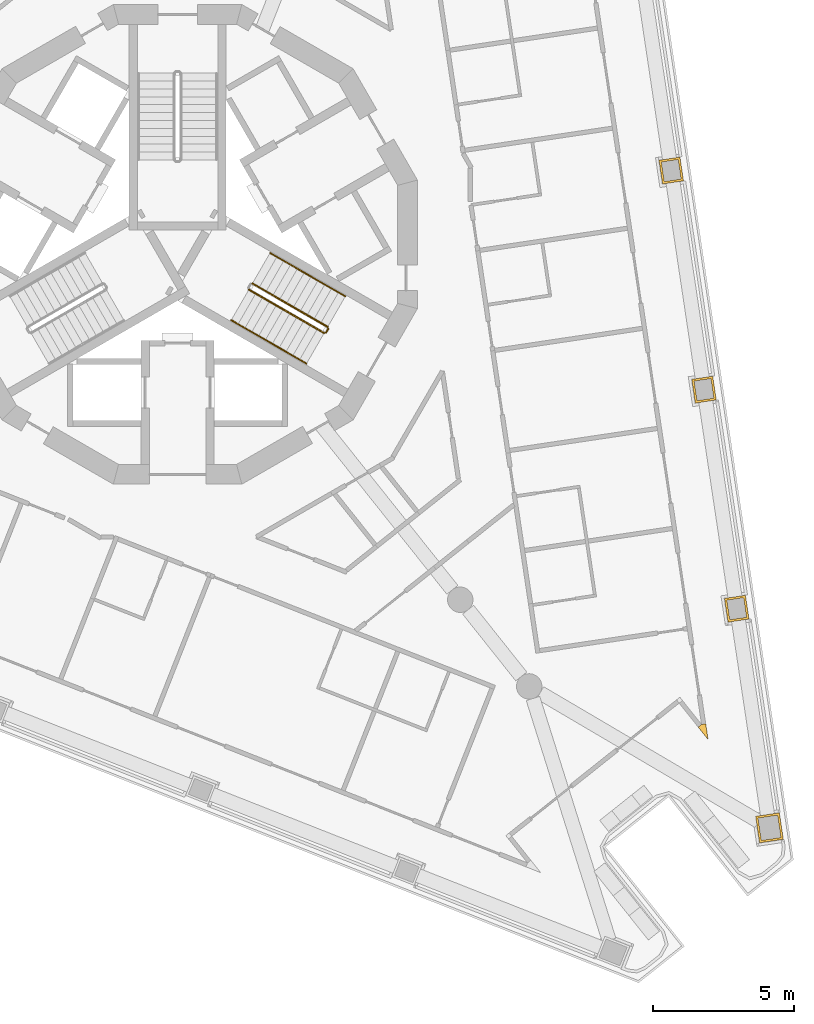
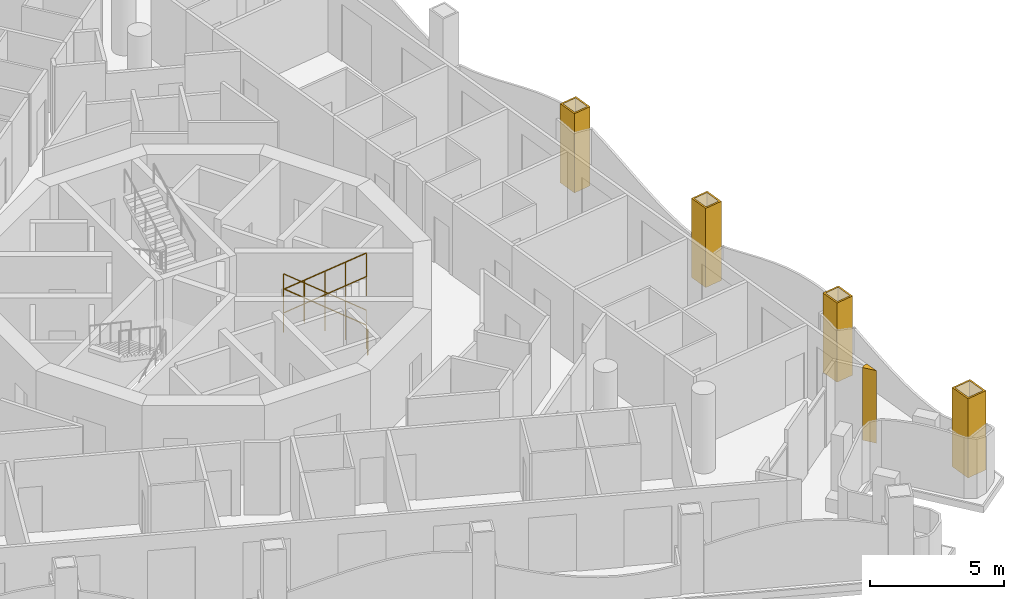
# One storey, part 15 of 17: 7 railings, 5 coverings.
"""IFC4 building model written with IfcOpenShell, lengths in metres."""

from ifc_helpers import new_model, si_unit, direction, frame, origin, origin_2d, place, context, subcontext, project, spatial, polyline, circle, outline, extrude, material, layer, layer_set, type_object, element, save


model = new_model("IFC4")

# Units and contexts
model_context = context("Model", 3, precision=1e-05, world=origin(), true_north=direction((0.0, 1.0)))
body_context = subcontext(model_context, "Body", "Model", "MODEL_VIEW")
ifc_project = project(units=[si_unit("LENGTHUNIT", "METRE"), si_unit("AREAUNIT", "SQUARE_METRE"), si_unit("VOLUMEUNIT", "CUBIC_METRE"), si_unit("PLANEANGLEUNIT", "RADIAN"), si_unit("MASSUNIT", "GRAM", prefix="KILO")], contexts=[model_context])

# Site, building, storey
site_placement = place(None, origin())
site = spatial("IfcSite", under=ifc_project, at=site_placement, CompositionType="ELEMENT")
building_placement = place(site_placement, origin())
building = spatial("IfcBuilding", under=site, at=building_placement, Name="Trine Commons Tower", CompositionType="ELEMENT")
storey_placement = place(building_placement, frame((0.0, 0.0, 216.0)))
storey = spatial("IfcBuildingStorey", under=building, at=storey_placement, Name="L56", CompositionType="ELEMENT", Elevation=216.0)

# Coverings
ifc_material_1 = material(Name="Aluminium-framed insulated wall panel", Category="aluminium")
ifc_layer_1 = layer(ifc_material_1, 0.14990234375)
ifc_layer_set_1 = layer_set([ifc_layer_1], Name="Aluminium-framed insulated wall panel")
covering_type_1 = type_object("IfcCoveringType", Name="Glazing corner post, aluminium", PredefinedType="CLADDING", material=ifc_layer_set_1)
covering_1_placement = place(storey_placement, origin())
element("IfcCovering", 1, at=covering_1_placement, inside=storey, type_object=covering_type_1, Name="Glazing corner post 6-06", PredefinedType="CLADDING", context=body_context, shape_type="SweptSolid", body=[
    extrude(outline(polyline([(98.4521484375, 45.390625), (98.800537109375, 44.95263671875), (98.718017578125, 45.506103515625), (98.569580078125, 45.484130859375), (98.4521484375, 45.390625)])), origin(), (0.0, 0.0, 1.0), 3.300048828125),
])
ifc_material_2 = material(Name="Limestone, honed", Category="masonry")
ifc_layer_2 = layer(ifc_material_2, 0.074951171875)
ifc_layer_set_2 = layer_set([ifc_layer_2], Name="Limestone, honed")
covering_type_2 = type_object("IfcCoveringType", Name="Limestone column cladding 75", PredefinedType="CLADDING", material=ifc_layer_set_2)
covering_2_placement = place(storey_placement, origin())
element("IfcCovering", 2, at=covering_2_placement, inside=storey, type_object=covering_type_2, Name="Limestone pier cladding 6-18", PredefinedType="CLADDING", context=body_context, shape_type="SweptSolid", body=[
    extrude(outline(polyline([(97.80419921875, 65.590576171875), (97.0625, 65.479736328125), (97.18798828125, 64.638916015625), (97.9296875, 64.75), (97.80419921875, 65.590576171875)]), holes=[polyline([(97.7412109375, 65.50537109375), (97.147705078125, 65.41650390625), (97.251220703125, 64.724365234375), (97.844482421875, 64.81298828125), (97.7412109375, 65.50537109375)])]), origin(), (0.0, 0.0, 1.0), 3.60009765625),
])
covering_3_placement = place(storey_placement, origin())
element("IfcCovering", 3, at=covering_3_placement, inside=storey, type_object=covering_type_2, Name="Limestone pier cladding 6-19", PredefinedType="CLADDING", context=body_context, shape_type="SweptSolid", body=[
    extrude(outline(polyline([(98.964599609375, 57.826171875), (98.222900390625, 57.71533203125), (98.348388671875, 56.87451171875), (99.090087890625, 56.985595703125), (98.964599609375, 57.826171875)]), holes=[polyline([(98.901611328125, 57.740966796875), (98.30810546875, 57.652099609375), (98.41162109375, 56.9599609375), (99.0048828125, 57.048583984375), (98.901611328125, 57.740966796875)])]), origin(), (0.0, 0.0, 1.0), 3.60009765625),
])
covering_4_placement = place(storey_placement, origin())
element("IfcCovering", 4, at=covering_4_placement, inside=storey, type_object=covering_type_2, Name="Limestone pier cladding 6-20", PredefinedType="CLADDING", context=body_context, shape_type="SweptSolid", body=[
    extrude(outline(polyline([(100.125, 50.06201171875), (99.38330078125, 49.950927734375), (99.5087890625, 49.1103515625), (100.25048828125, 49.22119140625), (100.125, 50.06201171875)]), holes=[polyline([(100.06201171875, 49.9765625), (99.468505859375, 49.887939453125), (99.572021484375, 49.195556640625), (100.165283203125, 49.2841796875), (100.06201171875, 49.9765625)])]), origin(), (0.0, 0.0, 1.0), 3.60009765625),
])
covering_5_placement = place(storey_placement, origin())
element("IfcCovering", 5, at=covering_5_placement, inside=storey, type_object=covering_type_2, Name="Limestone pier cladding 6-21", PredefinedType="CLADDING", context=body_context, shape_type="SweptSolid", body=[
    extrude(outline(polyline([(101.327392578125, 42.354248046875), (100.48681640625, 42.228759765625), (100.627197265625, 41.2890625), (101.4677734375, 41.414794921875), (101.327392578125, 42.354248046875)]), holes=[polyline([(101.264404296875, 42.26904296875), (100.572021484375, 42.16552734375), (100.690185546875, 41.37451171875), (101.382568359375, 41.477783203125), (101.264404296875, 42.26904296875)])]), origin(), (0.0, 0.0, 1.0), 3.60009765625),
])

# Railings
ifc_material_3 = material(Name="Stainless steel balustrade", Category="steel")
railing_type_1 = type_object("IfcRailingType", Name="Stair guard, steel balustrade 1100", PredefinedType="GUARDRAIL", material=ifc_material_3)
railing_1_placement = place(storey_placement, frame((85.31982421875, 59.572998046875, 0.14990234375)))
element("IfcRailing", 6, at=railing_1_placement, inside=storey, type_object=railing_type_1, Name="L56 ST3C stair guard 1", PredefinedType="GUARDRAIL", context=body_context, shape_type="SweptSolid", body=[
    extrude(circle(Radius=0.02392578125, at=origin_2d()), frame((0.0, 0.0, 1.076171875), z_axis=(-0.763379768245, 0.440728498818, 0.472239049384), x_axis=(-0.499992328818, -0.866029832698, 0.0)), (0.0, 0.0, 1.0), 3.494384765625),
    extrude(circle(Radius=0.02099609375, at=origin_2d()), origin(), (0.0, 0.0, 1.0), 1.052001953125),
    extrude(circle(Radius=0.02099609375, at=origin_2d()), frame((-0.6669921875, 0.385009765625, 0.41259765625)), (0.0, 0.0, 1.0), 1.052001953125),
    extrude(circle(Radius=0.02099609375, at=origin_2d()), frame((-1.333740234375, 0.77001953125, 0.8251953125)), (0.0, 0.0, 1.0), 1.052001953125),
    extrude(circle(Radius=0.02099609375, at=origin_2d()), frame((-2.00048828125, 1.155029296875, 1.237548828125)), (0.0, 0.0, 1.0), 1.052001953125),
    extrude(circle(Radius=0.02099609375, at=origin_2d()), frame((-2.66748046875, 1.5400390625, 1.650146484375)), (0.0, 0.0, 1.0), 1.052001953125),
])
railing_2_placement = place(storey_placement, frame((82.52734375, 60.896484375, 1.949951171875)))
element("IfcRailing", 7, at=railing_2_placement, inside=storey, type_object=railing_type_1, Name="L56 ST3C stair guard 3", PredefinedType="GUARDRAIL", context=body_context, shape_type="SweptSolid", body=[
    extrude(circle(Radius=0.02392578125, at=origin_2d()), frame((0.0, 0.0, 1.076171875), z_axis=(0.763379768245, -0.440728498818, 0.472239049384), x_axis=(0.499992328818, 0.866029832698, 0.0)), (0.0, 0.0, 1.0), 3.494384765625),
    extrude(circle(Radius=0.02099609375, at=origin_2d()), origin(), (0.0, 0.0, 1.0), 1.052001953125),
    extrude(circle(Radius=0.02099609375, at=origin_2d()), frame((0.6669921875, -0.385009765625, 0.41259765625)), (0.0, 0.0, 1.0), 1.052001953125),
    extrude(circle(Radius=0.02099609375, at=origin_2d()), frame((1.333740234375, -0.77001953125, 0.8251953125)), (0.0, 0.0, 1.0), 1.052001953125),
    extrude(circle(Radius=0.02099609375, at=origin_2d()), frame((2.00048828125, -1.155029296875, 1.237548828125)), (0.0, 0.0, 1.0), 1.052001953125),
    extrude(circle(Radius=0.02099609375, at=origin_2d()), frame((2.66748046875, -1.5400390625, 1.650146484375)), (0.0, 0.0, 1.0), 1.052001953125),
])
railing_3_placement = place(storey_placement, frame((85.338134765625, 59.504638671875, 0.0)))
element("IfcRailing", 8, at=railing_3_placement, inside=storey, type_object=railing_type_1, Name="L56 ST3C stair guard 4", PredefinedType="GUARDRAIL", context=body_context, shape_type="SweptSolid", body=[
    extrude(circle(Radius=0.02392578125, at=origin_2d()), frame((0.0, 0.0, 1.076171875), z_axis=(-0.499816412211, -0.866131372301, 0.0), x_axis=(0.866131372301, -0.499816412211, 0.0)), (0.0, 0.0, 1.0), 0.14990234375),
    extrude(circle(Radius=0.02099609375, at=origin_2d()), origin(), (0.0, 0.0, 1.0), 1.052001953125),
    extrude(circle(Radius=0.02099609375, at=origin_2d()), frame((-0.074951171875, -0.1298828125, 0.0)), (0.0, 0.0, 1.0), 1.052001953125),
])
ifc_material_4 = material(Name="Stainless steel handrail", Category="steel")
railing_type_2 = type_object("IfcRailingType", Name="Stair handrail, steel 900", PredefinedType="HANDRAIL", material=ifc_material_4)
railing_4_placement = place(storey_placement, frame((85.94482421875, 60.655517578125, 0.14990234375)))
element("IfcRailing", 9, at=railing_4_placement, inside=storey, type_object=railing_type_2, Name="L56 ST3C stair handrail 1", PredefinedType="HANDRAIL", context=body_context, shape_type="SweptSolid", body=[
    extrude(circle(Radius=0.02099609375, at=origin_2d()), frame((0.0, 0.0, 0.87890625), z_axis=(-0.763354580307, 0.440713956853, 0.472293333596), x_axis=(-0.499992328818, -0.866029832698, 0.0)), (0.0, 0.0, 1.0), 1.747314453125),
    extrude(circle(Radius=0.01513671875, at=origin_2d()), origin(), (0.0, 0.0, 1.0), 0.85791015625),
    extrude(circle(Radius=0.01513671875, at=origin_2d()), frame((-0.6669921875, 0.385009765625, 0.41259765625)), (0.0, 0.0, 1.0), 0.85791015625),
    extrude(circle(Radius=0.01513671875, at=origin_2d()), frame((-1.333740234375, 0.77001953125, 0.8251953125)), (0.0, 0.0, 1.0), 0.85791015625),
])
railing_5_placement = place(storey_placement, frame((84.611083984375, 61.425537109375, 0.97509765625)))
element("IfcRailing", 10, at=railing_5_placement, inside=storey, type_object=railing_type_2, Name="L56 ST3C stair handrail 2", PredefinedType="HANDRAIL", context=body_context, shape_type="SweptSolid", body=[
    extrude(circle(Radius=0.02099609375, at=origin_2d()), frame((0.0, 0.0, 0.87890625), z_axis=(-0.76340495495, 0.440743040072, 0.472184759798), x_axis=(-0.499992328818, -0.866029832698, 0.0)), (0.0, 0.0, 1.0), 1.7470703125),
    extrude(circle(Radius=0.01513671875, at=origin_2d()), origin(), (0.0, 0.0, 1.0), 0.85791015625),
    extrude(circle(Radius=0.01513671875, at=origin_2d()), frame((-0.6669921875, 0.385009765625, 0.41259765625)), (0.0, 0.0, 1.0), 0.85791015625),
    extrude(circle(Radius=0.01513671875, at=origin_2d()), frame((-1.333740234375, 0.77001953125, 0.824951171875)), (0.0, 0.0, 1.0), 0.85791015625),
])
railing_6_placement = place(storey_placement, frame((81.90234375, 59.81396484375, 1.949951171875)))
element("IfcRailing", 11, at=railing_6_placement, inside=storey, type_object=railing_type_2, Name="L56 ST3C stair handrail 3", PredefinedType="HANDRAIL", context=body_context, shape_type="SweptSolid", body=[
    extrude(circle(Radius=0.02099609375, at=origin_2d()), frame((0.0, 0.0, 0.87890625), z_axis=(0.76340495495, -0.440743040072, 0.472184759798), x_axis=(0.499992328818, 0.866029832698, 0.0)), (0.0, 0.0, 1.0), 1.7470703125),
    extrude(circle(Radius=0.01513671875, at=origin_2d()), origin(), (0.0, 0.0, 1.0), 0.85791015625),
    extrude(circle(Radius=0.01513671875, at=origin_2d()), frame((0.6669921875, -0.385009765625, 0.41259765625)), (0.0, 0.0, 1.0), 0.85791015625),
    extrude(circle(Radius=0.01513671875, at=origin_2d()), frame((1.333740234375, -0.77001953125, 0.824951171875)), (0.0, 0.0, 1.0), 0.85791015625),
])
railing_7_placement = place(storey_placement, frame((83.236083984375, 59.0439453125, 2.77490234375)))
element("IfcRailing", 12, at=railing_7_placement, inside=storey, type_object=railing_type_2, Name="L56 ST3C stair handrail 4", PredefinedType="HANDRAIL", context=body_context, shape_type="SweptSolid", body=[
    extrude(circle(Radius=0.02099609375, at=origin_2d()), frame((0.0, 0.0, 0.87890625), z_axis=(0.763354580307, -0.440713956853, 0.472293333596), x_axis=(0.499992328818, 0.866029832698, 0.0)), (0.0, 0.0, 1.0), 1.747314453125),
    extrude(circle(Radius=0.01513671875, at=origin_2d()), origin(), (0.0, 0.0, 1.0), 0.85791015625),
    extrude(circle(Radius=0.01513671875, at=origin_2d()), frame((0.6669921875, -0.385009765625, 0.41259765625)), (0.0, 0.0, 1.0), 0.85791015625),
    extrude(circle(Radius=0.01513671875, at=origin_2d()), frame((1.333740234375, -0.77001953125, 0.8251953125)), (0.0, 0.0, 1.0), 0.85791015625),
])

save(model, "model.ifc")
